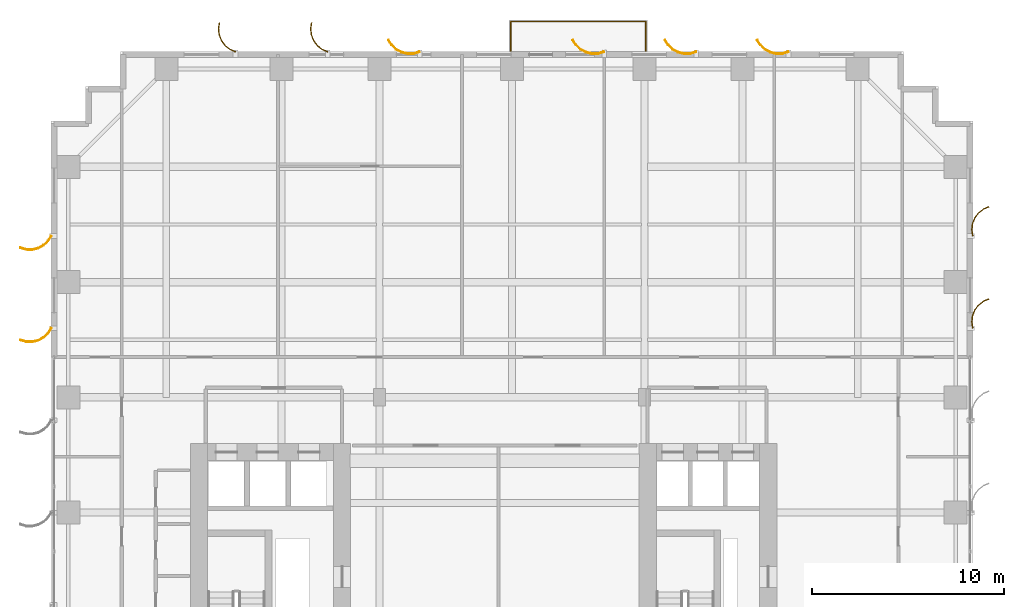
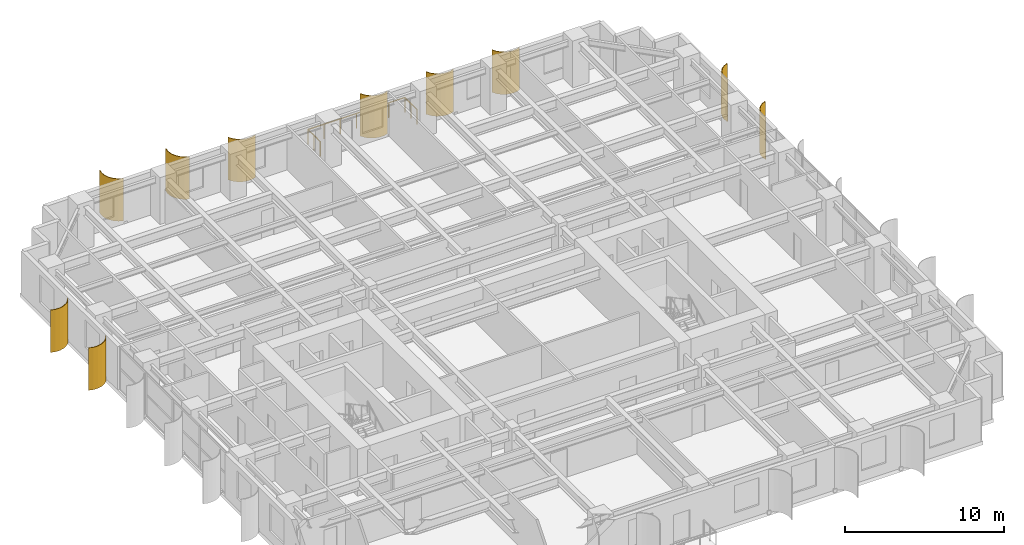
# One storey, part 16 of 16: 10 shading devices, 1 railing.
"""IFC4 building model written with IfcOpenShell, lengths in metres."""

from ifc_helpers import new_model, si_unit, direction, frame, origin, origin_2d, place, context, subcontext, project, spatial, polyline, circle, outline, extrude, source, transform, mapped, material, layer, layer_set, type_object, element, save


model = new_model("IFC4")

# Units and contexts
model_context = context("Model", 3, precision=1e-05, world=origin(), true_north=direction((0.0, 1.0)))
body_context = subcontext(model_context, "Body", "Model", "MODEL_VIEW")
ifc_project = project(units=[si_unit("LENGTHUNIT", "METRE"), si_unit("AREAUNIT", "SQUARE_METRE"), si_unit("VOLUMEUNIT", "CUBIC_METRE"), si_unit("PLANEANGLEUNIT", "RADIAN"), si_unit("MASSUNIT", "GRAM", prefix="KILO")], contexts=[model_context])

# Site, building, storey
site_placement = place(None, origin())
site = spatial("IfcSite", under=ifc_project, at=site_placement, CompositionType="ELEMENT")
building_placement = place(site_placement, origin())
building = spatial("IfcBuilding", under=site, at=building_placement, Name="Khoralis Quay Care Tower", CompositionType="ELEMENT")
storey_placement = place(building_placement, frame((0.0, 0.0, 29.699951171875)))
storey = spatial("IfcBuildingStorey", under=building, at=storey_placement, Name="L07", CompositionType="ELEMENT", Elevation=29.699951171875)

# Railing
ifc_material_1 = material(Name="Pale anodised aluminium", Category="aluminium")
railing_type = type_object("IfcRailingType", Name="RL-BALUST-1150", PredefinedType="BALUSTRADE", material=ifc_material_1)
railing_placement = place(storey_placement, frame((23.929931640625, 48.0400390625, -0.06005859375)))
element("IfcRailing", 1, at=railing_placement, inside=storey, type_object=railing_type, Name="L07 Senior Loggia Balcony Guard", PredefinedType="BALUSTRADE", context=body_context, shape_type="SweptSolid", body=[
    extrude(circle(Radius=0.02392578125, at=origin_2d()), frame((0.0, 0.0, 1.1259765625), z_axis=(0.0, 1.0, 0.0), x_axis=(-1.0, 0.0, 0.0)), (0.0, 0.0, 1.0), 1.530029296875),
    extrude(circle(Radius=0.02392578125, at=origin_2d()), frame((0.0, 1.530029296875, 1.1259765625), z_axis=(1.0, 0.0, 0.0), x_axis=(0.0, 1.0, 0.0)), (0.0, 0.0, 1.0), 7.0400390625),
    extrude(circle(Radius=0.02392578125, at=origin_2d()), frame((7.0400390625, 1.530029296875, 1.1259765625), z_axis=(0.0, -1.0, 0.0), x_axis=(1.0, 0.0, 0.0)), (0.0, 0.0, 1.0), 1.530029296875),
    extrude(circle(Radius=0.02099609375, at=origin_2d()), origin(), (0.0, 0.0, 1.0), 1.101806640625),
    extrude(circle(Radius=0.02099609375, at=origin_2d()), frame((0.0, 0.76513671875, 0.0)), (0.0, 0.0, 1.0), 1.101806640625),
    extrude(circle(Radius=0.02099609375, at=origin_2d()), frame((0.0, 1.530029296875, 0.0)), (0.0, 0.0, 1.0), 1.101806640625),
    extrude(circle(Radius=0.02099609375, at=origin_2d()), frame((1.17333984375, 1.530029296875, 0.0)), (0.0, 0.0, 1.0), 1.101806640625),
    extrude(circle(Radius=0.02099609375, at=origin_2d()), frame((2.3466796875, 1.530029296875, 0.0)), (0.0, 0.0, 1.0), 1.101806640625),
    extrude(circle(Radius=0.02099609375, at=origin_2d()), frame((3.52001953125, 1.530029296875, 0.0)), (0.0, 0.0, 1.0), 1.101806640625),
    extrude(circle(Radius=0.02099609375, at=origin_2d()), frame((4.693359375, 1.530029296875, 0.0)), (0.0, 0.0, 1.0), 1.101806640625),
    extrude(circle(Radius=0.02099609375, at=origin_2d()), frame((5.86669921875, 1.530029296875, 0.0)), (0.0, 0.0, 1.0), 1.101806640625),
    extrude(circle(Radius=0.02099609375, at=origin_2d()), frame((7.0400390625, 1.530029296875, 0.0)), (0.0, 0.0, 1.0), 1.101806640625),
    extrude(circle(Radius=0.02099609375, at=origin_2d()), frame((7.0400390625, 0.76513671875, 0.0)), (0.0, 0.0, 1.0), 1.101806640625),
    extrude(circle(Radius=0.02099609375, at=origin_2d()), frame((7.0400390625, 0.0, 0.0)), (0.0, 0.0, 1.0), 1.101806640625),
])

# Shading devices
ifc_material_2 = material(Name="Brushed pale anodised aluminium", Category="aluminium")
ifc_layer = layer(ifc_material_2, 0.044921875)
ifc_layer_set = layer_set([ifc_layer], Name="Brushed pale anodised aluminium")
shading_device_type = type_object("IfcShadingDeviceType", Name="SHD-FIN-1250", PredefinedType="USERDEFINED", material=ifc_layer_set)
shared_shape_1 = source(origin(), body_context, "Body", "SweptSolid", [
    extrude(outline(polyline([(0.0, 0.0), (0.130126953125, 0.29931640625), (0.333251953125, 0.5546875), (0.595458984375, 0.748779296875), (0.899169921875, 0.868408203125), (1.223388671875, 0.9052734375), (1.546142578125, 0.85693359375), (1.53369140625, 0.813720703125), (1.22265625, 0.8603515625), (0.91015625, 0.82470703125), (0.617431640625, 0.70947265625), (0.364501953125, 0.522216796875), (0.168701171875, 0.276123046875), (0.043212890625, -0.012451171875), (0.0, 0.0)])), origin(), (0.0, 0.0, 1.0), 3.260009765625),
])
for number, where, z_axis, x_axis, name in (
    (2, (14.39990234375, 47.969970703125, 0.02001953125), (0.0, 0.0, 1.0), (0.0, 1.0, 0.0), "L07 Curved Solar Fin P1E10-06"),
    (3, (9.60009765625, 47.969970703125, 0.02001953125), (0.0, 0.0, 1.0), (0.0, 1.0, 0.0), "L07 Curved Solar Fin P1E10-07"),
):
    element("IfcShadingDevice", number, at=place(storey_placement, frame(where, z_axis=z_axis, x_axis=x_axis)), inside=storey, type_object=shading_device_type, Name=name, ObjectType="FIN", PredefinedType="USERDEFINED", context=body_context, shape_type="MappedRepresentation", body=[
        mapped(shared_shape_1, transform((0.0, 0.0, 0.0), scale=1.0)),
    ])
shared_shape_2 = source(origin(), body_context, "Body", "SweptSolid", [
    extrude(outline(polyline([(0.0, 0.0), (0.17041015625, 0.2783203125), (0.4072265625, 0.5029296875), (0.694091796875, 0.658447265625), (1.01123046875, 0.734619140625), (1.33740234375, 0.72607421875), (1.650390625, 0.633544921875), (1.632080078125, 0.59228515625), (1.330322265625, 0.681640625), (1.015869140625, 0.68994140625), (0.710205078125, 0.616455078125), (0.43359375, 0.466552734375), (0.20556640625, 0.25), (0.041015625, -0.018310546875), (0.0, 0.0)])), origin(), (0.0, 0.0, 1.0), 3.260009765625),
])
for number, where, z_axis, x_axis, name in (
    (4, (0.030029296875, 38.39990234375, 0.02001953125), (0.0, 0.0, 1.0), (-1.0, 0.0, 0.0), "L07 Curved Solar Fin P1E15-01"),
    (5, (0.030029296875, 33.60009765625, 0.02001953125), (0.0, 0.0, 1.0), (-1.0, 0.0, 0.0), "L07 Curved Solar Fin P1E15-02"),
):
    element("IfcShadingDevice", number, at=place(storey_placement, frame(where, z_axis=z_axis, x_axis=x_axis)), inside=storey, type_object=shading_device_type, Name=name, ObjectType="FIN", PredefinedType="USERDEFINED", context=body_context, shape_type="MappedRepresentation", body=[
        mapped(shared_shape_2, transform((0.0, 0.0, 0.0), scale=1.0)),
    ])
shared_shape_3 = source(origin(), body_context, "Body", "SweptSolid", [
    extrude(outline(polyline([(0.0, 0.0), (-0.04833984375, 0.32275390625), (-0.01123046875, 0.64697265625), (0.1083984375, 0.950439453125), (0.302490234375, 1.212890625), (0.557861328125, 1.416015625), (0.85693359375, 1.546142578125), (0.869384765625, 1.5029296875), (0.5810546875, 1.37744140625), (0.334716796875, 1.181640625), (0.147705078125, 0.9287109375), (0.032470703125, 0.635986328125), (-0.003173828125, 0.323486328125), (0.043212890625, 0.012451171875), (0.0, 0.0)])), origin(), (0.0, 0.0, 1.0), 3.260009765625),
])
for number, where, z_axis, x_axis, name in (
    (6, (47.969970703125, 33.60009765625, 0.02001953125), (0.0, 0.0, 1.0), (1.0, 0.0, 0.0), "L07 Curved Solar Fin P1E5-06"),
    (7, (47.969970703125, 38.39990234375, 0.02001953125), (0.0, 0.0, 1.0), (1.0, 0.0, 0.0), "L07 Curved Solar Fin P1E5-07"),
):
    element("IfcShadingDevice", number, at=place(storey_placement, frame(where, z_axis=z_axis, x_axis=x_axis)), inside=storey, type_object=shading_device_type, Name=name, ObjectType="FIN", PredefinedType="USERDEFINED", context=body_context, shape_type="MappedRepresentation", body=[
        mapped(shared_shape_3, transform((0.0, 0.0, 0.0), scale=1.0)),
    ])
shared_shape_4 = source(origin(), body_context, "Body", "SweptSolid", [
    extrude(outline(polyline([(0.0, 0.0), (-0.0927734375, 0.31298828125), (-0.101318359375, 0.63916015625), (-0.025146484375, 0.956298828125), (0.130615234375, 1.2431640625), (0.355224609375, 1.479736328125), (0.633544921875, 1.650390625), (0.65185546875, 1.609130859375), (0.383544921875, 1.44482421875), (0.1669921875, 1.216796875), (0.01708984375, 0.940185546875), (-0.056396484375, 0.63427734375), (-0.04833984375, 0.31982421875), (0.041015625, 0.018310546875), (0.0, 0.0)])), origin(), (0.0, 0.0, 1.0), 3.260009765625),
])
for number, where, z_axis, x_axis, name in (
    (8, (38.39990234375, 47.969970703125, 0.02001953125), (0.0, 0.0, 1.0), (0.0, 1.0, 0.0), "L07 Curved Solar Fin P1E10-01"),
    (9, (33.60009765625, 47.969970703125, 0.02001953125), (0.0, 0.0, 1.0), (0.0, 1.0, 0.0), "L07 Curved Solar Fin P1E10-02"),
    (10, (28.800048828125, 47.969970703125, 0.02001953125), (0.0, 0.0, 1.0), (0.0, 1.0, 0.0), "L07 Curved Solar Fin P1E10-03"),
    (11, (19.199951171875, 47.969970703125, 0.02001953125), (0.0, 0.0, 1.0), (0.0, 1.0, 0.0), "L07 Curved Solar Fin P1E10-05"),
):
    element("IfcShadingDevice", number, at=place(storey_placement, frame(where, z_axis=z_axis, x_axis=x_axis)), inside=storey, type_object=shading_device_type, Name=name, ObjectType="FIN", PredefinedType="USERDEFINED", context=body_context, shape_type="MappedRepresentation", body=[
        mapped(shared_shape_4, transform((0.0, 0.0, 0.0), scale=1.0)),
    ])

save(model, "model.ifc")
